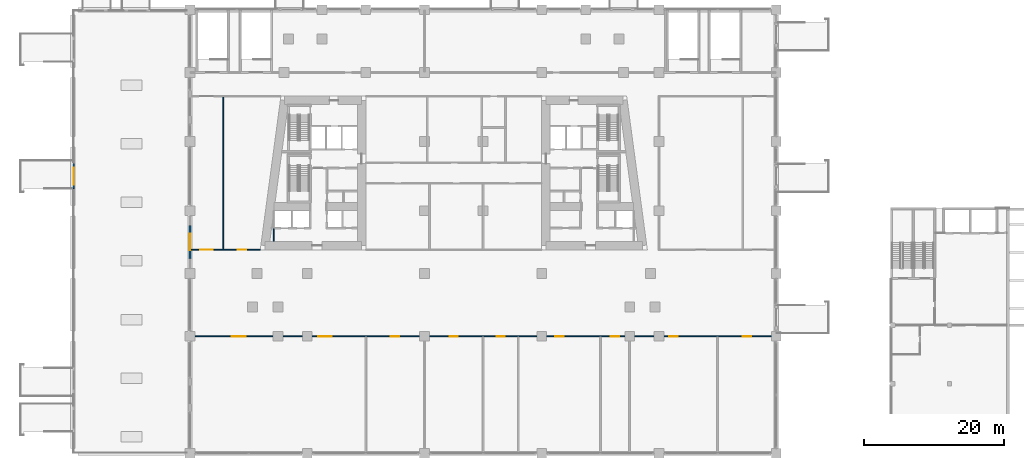
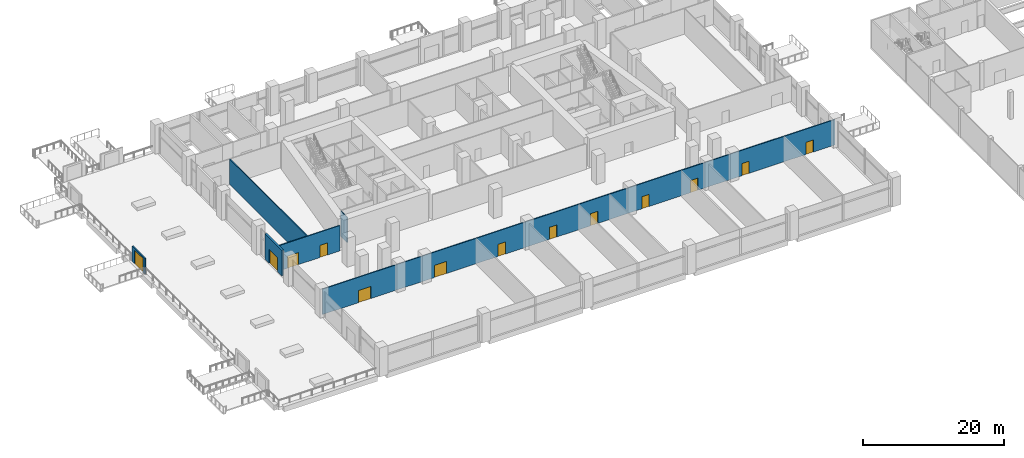
# One storey, part 16 of 33: 13 doors, 6 walls, 13 openings.
"""IFC4 building model written with IfcOpenShell, lengths in metres."""

import ifcopenshell
import ifcopenshell.guid

model = None  # the IFC model being written
_history = None  # IfcOwnerHistory: only IFC2X3 demands one
_inside = {}  # id of a spatial element -> (the spatial element, [elements in it])
_under = {}  # id of a project, library or spatial element -> (it, [spatial elements below it])
_declared = {}  # id of a project -> (the project, [libraries it declares])
_typed = {}  # id of a type object -> (the type object, [elements of that type])
_made_of = {}  # id of a material, layer set ... -> (it, [elements and type objects made of it])


def new_model(schema):
    """Start an empty IFC model of exactly this schema.

    Asked for "IFC4X3", IfcOpenShell would pick the latest addendum, in which some entities
    have other attributes; the version numbers below select the first issue.
    IFC2X3 requires an IfcOwnerHistory on every rooted entity: one is made here for all.
    """
    global model, _history
    if schema == "IFC4X3":
        model = ifcopenshell.file(schema_version=(4, 3, 0, 0))
    else:
        model = ifcopenshell.file(schema=schema)
    _inside.clear()
    _under.clear()
    _declared.clear()
    _typed.clear()
    _made_of.clear()
    _history = None
    if model.schema == "IFC2X3":
        org = make("IfcOrganization", Name="unknown")
        user = make(
            "IfcPersonAndOrganization",
            ThePerson=make("IfcPerson", FamilyName="unknown"),
            TheOrganization=org,
        )
        app = make(
            "IfcApplication",
            ApplicationDeveloper=org,
            Version="unknown",
            ApplicationFullName="unknown",
            ApplicationIdentifier="unknown",
        )
        _history = make(
            "IfcOwnerHistory",
            OwningUser=user,
            OwningApplication=app,
            ChangeAction="ADDED",
            CreationDate=0,
        )
    return model


def make(cls, **values):
    """One entity of the class cls with the attributes given. An attribute that is None is left unset."""
    return model.create_entity(
        cls, **{name: value for name, value in values.items() if value is not None}
    )


def rooted(cls, **values):
    """An entity with a GlobalId (a new one), such as an element, a storey or a relation."""
    return make(cls, GlobalId=ifcopenshell.guid.new(), OwnerHistory=_history, **values)


def si_unit(unit_type, name, prefix=None):
    """IfcSIUnit, for example si_unit("LENGTHUNIT", "METRE", prefix="MILLI")."""
    return make("IfcSIUnit", UnitType=unit_type, Prefix=prefix, Name=name)


def assignment(units):
    """IfcUnitAssignment: the units of a project."""
    return None if units is None else make("IfcUnitAssignment", Units=units)


def point(xyz):
    """IfcCartesianPoint."""
    return None if xyz is None else make("IfcCartesianPoint", Coordinates=xyz)


def direction(xyz):
    """IfcDirection."""
    return None if xyz is None else make("IfcDirection", DirectionRatios=xyz)


def frame(location, z_axis=None, x_axis=None):
    """IfcAxis2Placement3D, a coordinate frame: its origin and axes. An axis left out is left unset."""
    return make(
        "IfcAxis2Placement3D",
        Location=point(location),
        Axis=direction(z_axis),
        RefDirection=direction(x_axis),
    )


def frame_2d(location, x_axis=None):
    """IfcAxis2Placement2D, a coordinate frame in the plane: its origin and x axis."""
    return make(
        "IfcAxis2Placement2D", Location=point(location), RefDirection=direction(x_axis)
    )


def origin():
    """The frame at (0, 0, 0) with its axes left unset."""
    return frame((0.0, 0.0, 0.0))


def place(relative_to, where):
    """IfcLocalPlacement: puts the frame where relative to a parent placement (None: the world)."""
    return make(
        "IfcLocalPlacement", PlacementRelTo=relative_to, RelativePlacement=where
    )


def context(
    kind, dimensions, precision=None, world=None, true_north=None, identifier=None
):
    """IfcGeometricRepresentationContext, for example the 3D "Model" context."""
    return make(
        "IfcGeometricRepresentationContext",
        ContextIdentifier=identifier,
        ContextType=kind,
        CoordinateSpaceDimension=dimensions,
        Precision=precision,
        WorldCoordinateSystem=world,
        TrueNorth=true_north,
    )


def subcontext(parent, identifier, kind, view, scale=None):
    """IfcGeometricRepresentationSubContext, for example "Body" below "Model"."""
    return make(
        "IfcGeometricRepresentationSubContext",
        ContextIdentifier=identifier,
        ContextType=kind,
        ParentContext=parent,
        TargetScale=scale,
        TargetView=view,
    )


def project(units=None, contexts=None):
    """IfcProject with its units and contexts."""
    return rooted(
        "IfcProject",
        Name="project",
        RepresentationContexts=contexts,
        UnitsInContext=assignment(units),
    )


def spatial(cls, under=None, at=None, **own):
    """A site, building, storey or space (cls), placed at a placement, below another one or the project."""
    s = rooted(cls, ObjectPlacement=at, **own)
    if under is not None:
        _under.setdefault(under.id(), (under, []))[1].append(s)
    return s


def profile(cls, at=None, kind="AREA", **sizes):
    """A parametric profile (cls). Its sizes go by their IFC names, for example OverallWidth=200.0."""
    return make(cls, ProfileType=kind, Position=at, **sizes)


def rectangle(**sizes):
    """IfcRectangleProfileDef."""
    return profile("IfcRectangleProfileDef", **sizes)


def extrude(swept, where, along, depth):
    """IfcExtrudedAreaSolid: the profile swept, set in the frame where, extruded along a direction by depth."""
    return make(
        "IfcExtrudedAreaSolid",
        SweptArea=swept,
        Position=where,
        ExtrudedDirection=direction(along),
        Depth=depth,
    )


def shape(context_of_items, identifier, shape_type, items):
    """IfcShapeRepresentation: the items that make up one representation, for example the "Body"."""
    return make(
        "IfcShapeRepresentation",
        ContextOfItems=context_of_items,
        RepresentationIdentifier=identifier,
        RepresentationType=shape_type,
        Items=items,
    )


def material(Name=None, Category=None):
    """IfcMaterial."""
    return make("IfcMaterial", Name=Name, Category=Category)


def layer(
    of_material, thickness, ventilated=None, Name=None, Category=None, Priority=None
):
    """IfcMaterialLayer: one layer of a wall or slab, of a material (None: an air gap)."""
    return make(
        "IfcMaterialLayer",
        Material=of_material,
        LayerThickness=thickness,
        IsVentilated=ventilated,
        Name=Name,
        Category=Category,
        Priority=Priority,
    )


def layer_set(layers, Name=None):
    """IfcMaterialLayerSet."""
    return make("IfcMaterialLayerSet", MaterialLayers=layers, LayerSetName=Name)


def made_of(thing, what):
    """Note that an element or type object is made of a material, layer set ...; save() writes the relation."""
    if what is not None:
        _made_of.setdefault(what.id(), (what, []))[1].append(thing)
    return thing


def type_object(cls, material=None, **own):
    """A type object (cls), such as IfcWallType, which elements share."""
    return made_of(rooted(cls, **own), material)


def element(
    cls,
    number,
    at=None,
    inside=None,
    cuts=None,
    type_object=None,
    material=None,
    context=None,
    identifier="Body",
    shape_type=None,
    held_by="IfcProductDefinitionShape",
    body=None,
    shapes=None,
    **own,
):
    """One element of the class cls, such as IfcWall. Its Tag is "e" and its number.

    at: its placement. inside: the storey or other place that contains it. cuts: it is an
    opening in that element (IfcRelVoidsElement). A single representation is given by context,
    identifier, shape_type and body (its items); several are given by shapes. held_by: the class
    of the entity that holds the representations. save() writes the other relations.
    """
    e = rooted(cls, Tag="e%d" % number, ObjectPlacement=at, **own)
    if body is not None:
        shapes = [shape(context, identifier, shape_type, body)]
    if shapes is not None:
        e.Representation = make(held_by, Representations=shapes)
    if inside is not None:
        _inside.setdefault(inside.id(), (inside, []))[1].append(e)
    if cuts is not None:
        rooted(
            "IfcRelVoidsElement", RelatingBuildingElement=cuts, RelatedOpeningElement=e
        )
    if type_object is not None:
        _typed.setdefault(type_object.id(), (type_object, []))[1].append(e)
    return made_of(e, material)


def fill(opening, filler):
    """IfcRelFillsElement: the door or window that sits in an opening."""
    return rooted(
        "IfcRelFillsElement",
        RelatingOpeningElement=opening,
        RelatedBuildingElement=filler,
    )


def aggregate(whole, parts):
    """IfcRelAggregates: a whole, such as a stair, and the parts it consists of."""
    return rooted("IfcRelAggregates", RelatingObject=whole, RelatedObjects=parts)


def save(model, path):
    """Write the relations noted so far, then the file.

    IfcRelAggregates (storeys below a building ...), IfcRelContainedInSpatialStructure (elements
    in a storey), IfcRelDefinesByType, IfcRelAssociatesMaterial and IfcRelDeclares: one each for
    every whole, place, type object, material and project.
    """
    for whole, parts in _under.values():
        aggregate(whole, parts)
    for where, things in _inside.values():
        rooted(
            "IfcRelContainedInSpatialStructure",
            RelatedElements=things,
            RelatingStructure=where,
        )
    for kind, things in _typed.values():
        rooted("IfcRelDefinesByType", RelatedObjects=things, RelatingType=kind)
    for what, things in _made_of.values():
        rooted("IfcRelAssociatesMaterial", RelatedObjects=things, RelatingMaterial=what)
    for by, libraries in _declared.values():
        rooted("IfcRelDeclares", RelatingContext=by, RelatedDefinitions=libraries)
    model.write(path)


model = new_model("IFC4")

# Units and contexts
model_context = context("Model", 3, precision=1e-05, world=origin(), true_north=direction((0.0, 1.0)))
body_context = subcontext(model_context, "Body", "Model", "MODEL_VIEW")
ifc_project = project(units=[si_unit("LENGTHUNIT", "METRE"), si_unit("AREAUNIT", "SQUARE_METRE"), si_unit("VOLUMEUNIT", "CUBIC_METRE"), si_unit("PLANEANGLEUNIT", "RADIAN"), si_unit("MASSUNIT", "GRAM", prefix="KILO")], contexts=[model_context])

# Site, building, storey
site_placement = place(None, origin())
site = spatial("IfcSite", under=ifc_project, at=site_placement, CompositionType="ELEMENT")
building_placement = place(site_placement, origin())
building = spatial("IfcBuilding", under=site, at=building_placement, Name="Candeia Pilgrim Tower and Theatre", CompositionType="ELEMENT")
storey_placement = place(building_placement, frame((0.0, 0.0, 29.0)))
storey = spatial("IfcBuildingStorey", under=building, at=storey_placement, Name="L04", CompositionType="ELEMENT", Elevation=29.0)

# Wall, opening, door
ifc_material_1 = material(Name="Ceramic block masonry", Category="masonry")
ifc_layer_1 = layer(ifc_material_1, 0.300048828125)
ifc_layer_set_1 = layer_set([ifc_layer_1], Name="EW2 entrance infill wall 300")
wall_type_1 = type_object("IfcWallType", Name="EW2 entrance infill wall 300", PredefinedType="SOLIDWALL", material=ifc_layer_set_1)
wall_1_placement = place(storey_placement, frame((75.60009765625, 109.10009765625, 0.0), z_axis=(0.0, 0.0, 1.0), x_axis=(0.0, 1.0, 0.0)))
wall_1 = element("IfcWall", 1, at=wall_1_placement, inside=storey, type_object=wall_type_1, Name="Entrance wall L04", PredefinedType="SOLIDWALL", context=body_context, shape_type="SweptSolid", body=[
    extrude(rectangle(XDim=4.7998046875, YDim=0.300048828125, at=frame_2d((2.39990234375, 0.0))), origin(), (0.0, 0.0, 1.0), 4.39990234375),
])
opening_1_placement = place(wall_1_placement, frame((1.199951171875, 0.0, 0.0)))
opening_1 = element("IfcOpeningElement", 2, at=opening_1_placement, cuts=wall_1, Name="Opening L04-ED075", PredefinedType="OPENING", context=body_context, shape_type="SweptSolid", body=[
    extrude(rectangle(XDim=2.39990234375, YDim=2.39990234375, at=frame_2d((1.199951171875, 1.199951171875))), frame((0.0, 0.16015625, 0.0), z_axis=(0.0, -1.0, 0.0), x_axis=(1.0, 0.0, 0.0)), (0.0, 0.0, 1.0), 0.320068359375),
])
ifc_material_2 = material(Name="Aluminium framed glazed door", Category="aluminium")
door_type_1 = type_object("IfcDoorType", Name="ED entrance double door 2400x2400", OperationType="DOUBLE_DOOR_DOUBLE_SWING", PredefinedType="DOOR", material=ifc_material_2)
door_1_placement = place(opening_1_placement, origin())
door_1 = element("IfcDoor", 3, at=door_1_placement, inside=storey, type_object=door_type_1, Name="Entrance door L04-ED075", OperationType="DOUBLE_DOOR_DOUBLE_SWING", OverallHeight=2.39990234375, OverallWidth=2.39990234375, PredefinedType="DOOR", context=body_context, shape_type="SweptSolid", body=[
    extrude(rectangle(XDim=2.39990234375, YDim=2.39990234375, at=frame_2d((1.199951171875, 1.199951171875))), frame((0.0, 0.02490234375, 0.0), z_axis=(0.0, -1.0, 0.0), x_axis=(1.0, 0.0, 0.0)), (0.0, 0.0, 1.0), 0.050048828125),
])
fill(opening_1, door_1)

ifc_material_3 = material(Name="Concrete C35/45", Category="concrete")
ifc_layer_2 = layer(ifc_material_3, 0.199951171875)
ifc_layer_set_2 = layer_set([ifc_layer_2], Name="Escape stair gate wall 200")
wall_type_2 = type_object("IfcWallType", Name="Escape stair gate wall 200", PredefinedType="SOLIDWALL", material=ifc_layer_set_2)
wall_2_placement = place(storey_placement, frame((58.949951171875, 119.14990234375, 0.0), z_axis=(0.0, 0.0, 1.0), x_axis=(0.0, 1.0, 0.0)))
wall_2 = element("IfcWall", 4, at=wall_2_placement, inside=storey, type_object=wall_type_2, Name="L04 External escape stair ES15 terrace gate wall", PredefinedType="SOLIDWALL", context=body_context, shape_type="SweptSolid", body=[
    extrude(rectangle(XDim=3.60009765625, YDim=0.199951171875, at=frame_2d((1.800048828125, 0.0))), origin(), (0.0, 0.0, 1.0), 2.699951171875),
])
opening_2_placement = place(wall_2_placement, frame((0.60009765625, 0.0, 0.0)))
opening_2 = element("IfcOpeningElement", 5, at=opening_2_placement, cuts=wall_2, Name="Opening XD-15-04", PredefinedType="OPENING", context=body_context, shape_type="SweptSolid", body=[
    extrude(rectangle(XDim=2.39990234375, YDim=2.39990234375, at=frame_2d((1.199951171875, 1.199951171875))), frame((0.0, 0.10986328125, 0.0), z_axis=(0.0, -1.0, 0.0), x_axis=(1.0, 0.0, 0.0)), (0.0, 0.0, 1.0), 0.219970703125),
])
door_2_placement = place(opening_2_placement, origin())
door_2 = element("IfcDoor", 6, at=door_2_placement, inside=storey, type_object=door_type_1, Name="Terrace gate door ES15 L04", OperationType="DOUBLE_DOOR_DOUBLE_SWING", OverallHeight=2.39990234375, OverallWidth=2.39990234375, PredefinedType="DOOR", context=body_context, shape_type="SweptSolid", body=[
    extrude(rectangle(XDim=2.39990234375, YDim=2.39990234375, at=frame_2d((1.199951171875, 1.199951171875))), frame((0.0, 0.02490234375, 0.0), z_axis=(0.0, -1.0, 0.0), x_axis=(1.0, 0.0, 0.0)), (0.0, 0.0, 1.0), 0.050048828125),
])
fill(opening_2, door_2)

# Wall, openings, doors
ifc_material_4 = material(Name="Gypsum board partition on steel studs", Category="steel")
ifc_layer_3 = layer(ifc_material_4, 0.14990234375)
ifc_layer_set_3 = layer_set([ifc_layer_3], Name="PW-150 lobby wall")
wall_type_3 = type_object("IfcWallType", Name="PW-150 lobby wall", PredefinedType="PARTITIONING", material=ifc_layer_set_3)
wall_3_placement = place(storey_placement, frame((75.64990234375, 98.0, 0.0), z_axis=(0.0, 0.0, 1.0), x_axis=(1.0, 0.0, 0.0)))
wall_3 = element("IfcWall", 7, at=wall_3_placement, inside=storey, type_object=wall_type_3, Name="Lobby wall L04-001", PredefinedType="PARTITIONING", context=body_context, shape_type="SweptSolid", body=[
    extrude(rectangle(XDim=83.900146484375, YDim=0.14990234375, at=frame_2d((41.9501953125, 0.0))), origin(), (0.0, 0.0, 1.0), 4.39990234375),
])
opening_3_placement = place(wall_3_placement, frame((5.925048828125, 0.0, 0.0)))
opening_3 = element("IfcOpeningElement", 8, at=opening_3_placement, cuts=wall_3, Name="Opening L04-D001", PredefinedType="OPENING", context=body_context, shape_type="SweptSolid", body=[
    extrude(rectangle(XDim=2.0, YDim=2.10009765625, at=frame_2d((1.0, 1.050048828125))), frame((0.0, 0.0849609375, 0.0), z_axis=(0.0, -1.0, 0.0), x_axis=(1.0, 0.0, 0.0)), (0.0, 0.0, 1.0), 0.169921875),
])
opening_4_placement = place(wall_3_placement, frame((18.300048828125, 0.0, 0.0)))
opening_4 = element("IfcOpeningElement", 9, at=opening_4_placement, cuts=wall_3, Name="Opening L04-D002", PredefinedType="OPENING", context=body_context, shape_type="SweptSolid", body=[
    extrude(rectangle(XDim=2.0, YDim=2.10009765625, at=frame_2d((1.0, 1.050048828125))), frame((0.0, 0.0849609375, 0.0), z_axis=(0.0, -1.0, 0.0), x_axis=(1.0, 0.0, 0.0)), (0.0, 0.0, 1.0), 0.169921875),
])
opening_5_placement = place(wall_3_placement, frame((28.75, 0.0, 0.0)))
opening_5 = element("IfcOpeningElement", 10, at=opening_5_placement, cuts=wall_3, Name="Opening L04-D003", PredefinedType="OPENING", context=body_context, shape_type="SweptSolid", body=[
    extrude(rectangle(XDim=1.199951171875, YDim=2.10009765625, at=frame_2d((0.60009765625, 1.050048828125))), frame((0.0, 0.0849609375, 0.0), z_axis=(0.0, -1.0, 0.0), x_axis=(1.0, 0.0, 0.0)), (0.0, 0.0, 1.0), 0.169921875),
])
opening_6_placement = place(wall_3_placement, frame((37.14990234375, 0.0, 0.0)))
opening_6 = element("IfcOpeningElement", 11, at=opening_6_placement, cuts=wall_3, Name="Opening L04-D004", PredefinedType="OPENING", context=body_context, shape_type="SweptSolid", body=[
    extrude(rectangle(XDim=1.199951171875, YDim=2.10009765625, at=frame_2d((0.60009765625, 1.050048828125))), frame((0.0, 0.0849609375, 0.0), z_axis=(0.0, -1.0, 0.0), x_axis=(1.0, 0.0, 0.0)), (0.0, 0.0, 1.0), 0.169921875),
])
opening_7_placement = place(wall_3_placement, frame((43.8701171875, 0.0, 0.0)))
opening_7 = element("IfcOpeningElement", 12, at=opening_7_placement, cuts=wall_3, Name="Opening L04-D005", PredefinedType="OPENING", context=body_context, shape_type="SweptSolid", body=[
    extrude(rectangle(XDim=1.199951171875, YDim=2.10009765625, at=frame_2d((0.60009765625, 1.050048828125))), frame((0.0, 0.0849609375, 0.0), z_axis=(0.0, -1.0, 0.0), x_axis=(1.0, 0.0, 0.0)), (0.0, 0.0, 1.0), 0.169921875),
])
opening_8_placement = place(wall_3_placement, frame((52.27001953125, 0.0, 0.0)))
opening_8 = element("IfcOpeningElement", 13, at=opening_8_placement, cuts=wall_3, Name="Opening L04-D006", PredefinedType="OPENING", context=body_context, shape_type="SweptSolid", body=[
    extrude(rectangle(XDim=1.199951171875, YDim=2.10009765625, at=frame_2d((0.60009765625, 1.050048828125))), frame((0.0, 0.0849609375, 0.0), z_axis=(0.0, -1.0, 0.0), x_axis=(1.0, 0.0, 0.0)), (0.0, 0.0, 1.0), 0.169921875),
])
opening_9_placement = place(wall_3_placement, frame((60.25, 0.0, 0.0)))
opening_9 = element("IfcOpeningElement", 14, at=opening_9_placement, cuts=wall_3, Name="Opening L04-D007", PredefinedType="OPENING", context=body_context, shape_type="SweptSolid", body=[
    extrude(rectangle(XDim=1.199951171875, YDim=2.10009765625, at=frame_2d((0.60009765625, 1.050048828125))), frame((0.0, 0.0849609375, 0.0), z_axis=(0.0, -1.0, 0.0), x_axis=(1.0, 0.0, 0.0)), (0.0, 0.0, 1.0), 0.169921875),
])
opening_10_placement = place(wall_3_placement, frame((68.64990234375, 0.0, 0.0)))
opening_10 = element("IfcOpeningElement", 15, at=opening_10_placement, cuts=wall_3, Name="Opening L04-D008", PredefinedType="OPENING", context=body_context, shape_type="SweptSolid", body=[
    extrude(rectangle(XDim=1.199951171875, YDim=2.10009765625, at=frame_2d((0.60009765625, 1.050048828125))), frame((0.0, 0.0849609375, 0.0), z_axis=(0.0, -1.0, 0.0), x_axis=(1.0, 0.0, 0.0)), (0.0, 0.0, 1.0), 0.169921875),
])
opening_11_placement = place(wall_3_placement, frame((79.14990234375, 0.0, 0.0)))
opening_11 = element("IfcOpeningElement", 16, at=opening_11_placement, cuts=wall_3, Name="Opening L04-D009", PredefinedType="OPENING", context=body_context, shape_type="SweptSolid", body=[
    extrude(rectangle(XDim=1.199951171875, YDim=2.10009765625, at=frame_2d((0.60009765625, 1.050048828125))), frame((0.0, 0.0849609375, 0.0), z_axis=(0.0, -1.0, 0.0), x_axis=(1.0, 0.0, 0.0)), (0.0, 0.0, 1.0), 0.169921875),
])
ifc_material_5 = material(Name="Steel fire door set", Category="steel")
door_type_2 = type_object("IfcDoorType", Name="D-1200-FD30S", OperationType="NOTDEFINED", PredefinedType="DOOR", material=ifc_material_5)
door_3_placement = place(opening_5_placement, origin())
door_3 = element("IfcDoor", 17, at=door_3_placement, inside=storey, type_object=door_type_2, Name="Door L04-D003", OperationType="SINGLE_SWING_LEFT", OverallHeight=2.10009765625, OverallWidth=1.199951171875, PredefinedType="DOOR", context=body_context, shape_type="SweptSolid", body=[
    extrude(rectangle(XDim=1.199951171875, YDim=2.10009765625, at=frame_2d((0.60009765625, 1.050048828125))), frame((0.0, 0.02490234375, 0.0), z_axis=(0.0, -1.0, 0.0), x_axis=(1.0, 0.0, 0.0)), (0.0, 0.0, 1.0), 0.050048828125),
])
fill(opening_5, door_3)
door_4_placement = place(opening_6_placement, origin())
door_4 = element("IfcDoor", 18, at=door_4_placement, inside=storey, type_object=door_type_2, Name="Door L04-D004", OperationType="SINGLE_SWING_RIGHT", OverallHeight=2.10009765625, OverallWidth=1.199951171875, PredefinedType="DOOR", context=body_context, shape_type="SweptSolid", body=[
    extrude(rectangle(XDim=1.199951171875, YDim=2.10009765625, at=frame_2d((0.60009765625, 1.050048828125))), frame((0.0, 0.02490234375, 0.0), z_axis=(0.0, -1.0, 0.0), x_axis=(1.0, 0.0, 0.0)), (0.0, 0.0, 1.0), 0.050048828125),
])
fill(opening_6, door_4)
door_5_placement = place(opening_7_placement, origin())
door_5 = element("IfcDoor", 19, at=door_5_placement, inside=storey, type_object=door_type_2, Name="Door L04-D005", OperationType="SINGLE_SWING_LEFT", OverallHeight=2.10009765625, OverallWidth=1.199951171875, PredefinedType="DOOR", context=body_context, shape_type="SweptSolid", body=[
    extrude(rectangle(XDim=1.199951171875, YDim=2.10009765625, at=frame_2d((0.60009765625, 1.050048828125))), frame((0.0, 0.02490234375, 0.0), z_axis=(0.0, -1.0, 0.0), x_axis=(1.0, 0.0, 0.0)), (0.0, 0.0, 1.0), 0.050048828125),
])
fill(opening_7, door_5)
door_6_placement = place(opening_8_placement, origin())
door_6 = element("IfcDoor", 20, at=door_6_placement, inside=storey, type_object=door_type_2, Name="Door L04-D006", OperationType="SINGLE_SWING_RIGHT", OverallHeight=2.10009765625, OverallWidth=1.199951171875, PredefinedType="DOOR", context=body_context, shape_type="SweptSolid", body=[
    extrude(rectangle(XDim=1.199951171875, YDim=2.10009765625, at=frame_2d((0.60009765625, 1.050048828125))), frame((0.0, 0.02490234375, 0.0), z_axis=(0.0, -1.0, 0.0), x_axis=(1.0, 0.0, 0.0)), (0.0, 0.0, 1.0), 0.050048828125),
])
fill(opening_8, door_6)
door_7_placement = place(opening_9_placement, origin())
door_7 = element("IfcDoor", 21, at=door_7_placement, inside=storey, type_object=door_type_2, Name="Door L04-D007", OperationType="SINGLE_SWING_LEFT", OverallHeight=2.10009765625, OverallWidth=1.199951171875, PredefinedType="DOOR", context=body_context, shape_type="SweptSolid", body=[
    extrude(rectangle(XDim=1.199951171875, YDim=2.10009765625, at=frame_2d((0.60009765625, 1.050048828125))), frame((0.0, 0.02490234375, 0.0), z_axis=(0.0, -1.0, 0.0), x_axis=(1.0, 0.0, 0.0)), (0.0, 0.0, 1.0), 0.050048828125),
])
fill(opening_9, door_7)
door_8_placement = place(opening_10_placement, origin())
door_8 = element("IfcDoor", 22, at=door_8_placement, inside=storey, type_object=door_type_2, Name="Door L04-D008", OperationType="SINGLE_SWING_RIGHT", OverallHeight=2.10009765625, OverallWidth=1.199951171875, PredefinedType="DOOR", context=body_context, shape_type="SweptSolid", body=[
    extrude(rectangle(XDim=1.199951171875, YDim=2.10009765625, at=frame_2d((0.60009765625, 1.050048828125))), frame((0.0, 0.02490234375, 0.0), z_axis=(0.0, -1.0, 0.0), x_axis=(1.0, 0.0, 0.0)), (0.0, 0.0, 1.0), 0.050048828125),
])
fill(opening_10, door_8)
door_9_placement = place(opening_11_placement, origin())
door_9 = element("IfcDoor", 23, at=door_9_placement, inside=storey, type_object=door_type_2, Name="Door L04-D009", OperationType="SINGLE_SWING_LEFT", OverallHeight=2.10009765625, OverallWidth=1.199951171875, PredefinedType="DOOR", context=body_context, shape_type="SweptSolid", body=[
    extrude(rectangle(XDim=1.199951171875, YDim=2.10009765625, at=frame_2d((0.60009765625, 1.050048828125))), frame((0.0, 0.02490234375, 0.0), z_axis=(0.0, -1.0, 0.0), x_axis=(1.0, 0.0, 0.0)), (0.0, 0.0, 1.0), 0.050048828125),
])
fill(opening_11, door_9)
ifc_material_6 = material(Name="Steel exit door", Category="steel")
door_type_3 = type_object("IfcDoorType", Name="DX-2000-FD30S", OperationType="NOTDEFINED", PredefinedType="DOOR", material=ifc_material_6)
door_10_placement = place(opening_3_placement, origin())
door_10 = element("IfcDoor", 24, at=door_10_placement, inside=storey, type_object=door_type_3, Name="Door L04-D001", OperationType="SINGLE_SWING_LEFT", OverallHeight=2.10009765625, OverallWidth=2.0, PredefinedType="DOOR", context=body_context, shape_type="SweptSolid", body=[
    extrude(rectangle(XDim=2.0, YDim=2.10009765625, at=frame_2d((1.0, 1.050048828125))), frame((0.0, 0.02490234375, 0.0), z_axis=(0.0, -1.0, 0.0), x_axis=(1.0, 0.0, 0.0)), (0.0, 0.0, 1.0), 0.050048828125),
])
fill(opening_3, door_10)
door_11_placement = place(opening_4_placement, origin())
door_11 = element("IfcDoor", 25, at=door_11_placement, inside=storey, type_object=door_type_3, Name="Door L04-D002", OperationType="SINGLE_SWING_RIGHT", OverallHeight=2.10009765625, OverallWidth=2.0, PredefinedType="DOOR", context=body_context, shape_type="SweptSolid", body=[
    extrude(rectangle(XDim=2.0, YDim=2.10009765625, at=frame_2d((1.0, 1.050048828125))), frame((0.0, 0.02490234375, 0.0), z_axis=(0.0, -1.0, 0.0), x_axis=(1.0, 0.0, 0.0)), (0.0, 0.0, 1.0), 0.050048828125),
])
fill(opening_4, door_11)

wall_4_placement = place(storey_placement, frame((75.64990234375, 110.39990234375, 0.0), z_axis=(0.0, 0.0, 1.0), x_axis=(1.0, 0.0, 0.0)))
wall_4 = element("IfcWall", 26, at=wall_4_placement, inside=storey, type_object=wall_type_3, Name="Lobby wall L04-002", PredefinedType="PARTITIONING", context=body_context, shape_type="SweptSolid", body=[
    extrude(rectangle(XDim=10.01904296875, YDim=0.14990234375, at=frame_2d((5.009521484375, 0.0))), origin(), (0.0, 0.0, 1.0), 4.39990234375),
])
opening_12_placement = place(wall_4_placement, frame((6.783935546875, 0.0, 0.0)))
opening_12 = element("IfcOpeningElement", 27, at=opening_12_placement, cuts=wall_4, Name="Opening L04-D010", PredefinedType="OPENING", context=body_context, shape_type="SweptSolid", body=[
    extrude(rectangle(XDim=1.199951171875, YDim=2.10009765625, at=frame_2d((0.60009765625, 1.050048828125))), frame((0.0, 0.0849609375, 0.0), z_axis=(0.0, -1.0, 0.0), x_axis=(1.0, 0.0, 0.0)), (0.0, 0.0, 1.0), 0.169921875),
])
opening_13_placement = place(wall_4_placement, frame((1.449951171875, 0.0, 0.0)))
opening_13 = element("IfcOpeningElement", 28, at=opening_13_placement, cuts=wall_4, Name="Opening L04-D026", PredefinedType="OPENING", context=body_context, shape_type="SweptSolid", body=[
    extrude(rectangle(XDim=1.800048828125, YDim=2.10009765625, at=frame_2d((0.89990234375, 1.050048828125))), frame((0.0, 0.0849609375, 0.0), z_axis=(0.0, -1.0, 0.0), x_axis=(1.0, 0.0, 0.0)), (0.0, 0.0, 1.0), 0.169921875),
])
door_12_placement = place(opening_12_placement, origin())
door_12 = element("IfcDoor", 29, at=door_12_placement, inside=storey, type_object=door_type_2, Name="Door L04-D010", OperationType="SINGLE_SWING_RIGHT", OverallHeight=2.10009765625, OverallWidth=1.199951171875, PredefinedType="DOOR", context=body_context, shape_type="SweptSolid", body=[
    extrude(rectangle(XDim=1.199951171875, YDim=2.10009765625, at=frame_2d((0.60009765625, 1.050048828125))), frame((0.0, 0.02490234375, 0.0), z_axis=(0.0, -1.0, 0.0), x_axis=(1.0, 0.0, 0.0)), (0.0, 0.0, 1.0), 0.050048828125),
])
fill(opening_12, door_12)
door_type_4 = type_object("IfcDoorType", Name="D-1800-FD60", OperationType="NOTDEFINED", PredefinedType="DOOR", material=ifc_material_5)
door_13_placement = place(opening_13_placement, origin())
door_13 = element("IfcDoor", 30, at=door_13_placement, inside=storey, type_object=door_type_4, Name="Door L04-D026", OperationType="SINGLE_SWING_RIGHT", OverallHeight=2.10009765625, OverallWidth=1.800048828125, PredefinedType="DOOR", context=body_context, shape_type="SweptSolid", body=[
    extrude(rectangle(XDim=1.800048828125, YDim=2.10009765625, at=frame_2d((0.89990234375, 1.050048828125))), frame((0.0, 0.02490234375, 0.0), z_axis=(0.0, -1.0, 0.0), x_axis=(1.0, 0.0, 0.0)), (0.0, 0.0, 1.0), 0.050048828125),
])
fill(opening_13, door_13)

# Walls
wall_5_placement = place(storey_placement, frame((87.631103515625, 111.60009765625, 0.0), z_axis=(0.0, 0.0, 1.0), x_axis=(0.0, 1.0, 0.0)))
element("IfcWall", 31, at=wall_5_placement, inside=storey, type_object=wall_type_3, Name="Lobby wall L04-050", PredefinedType="PARTITIONING", context=body_context, shape_type="SweptSolid", body=[
    extrude(rectangle(XDim=1.7998046875, YDim=0.14990234375, at=frame_2d((0.89990234375, 0.0))), origin(), (0.0, 0.0, 1.0), 4.39990234375),
])
ifc_layer_4 = layer(ifc_material_4, 0.14990234375)
ifc_layer_set_4 = layer_set([ifc_layer_4], Name="PW-150 unit wall")
wall_type_4 = type_object("IfcWallType", Name="PW-150 unit wall", PredefinedType="PARTITIONING", material=ifc_layer_set_4)
wall_6_placement = place(storey_placement, frame((80.39990234375, 110.47509765625, 0.0), z_axis=(0.0, 0.0, 1.0), x_axis=(0.0, 1.0, 0.0)))
element("IfcWall", 32, at=wall_6_placement, inside=storey, type_object=wall_type_4, Name="Unit wall L04-045", PredefinedType="PARTITIONING", context=body_context, shape_type="SweptSolid", body=[
    extrude(rectangle(XDim=21.849853515625, YDim=0.14990234375, at=frame_2d((10.9248046875, 0.0))), origin(), (0.0, 0.0, 1.0), 4.39990234375),
])

save(model, "model.ifc")
